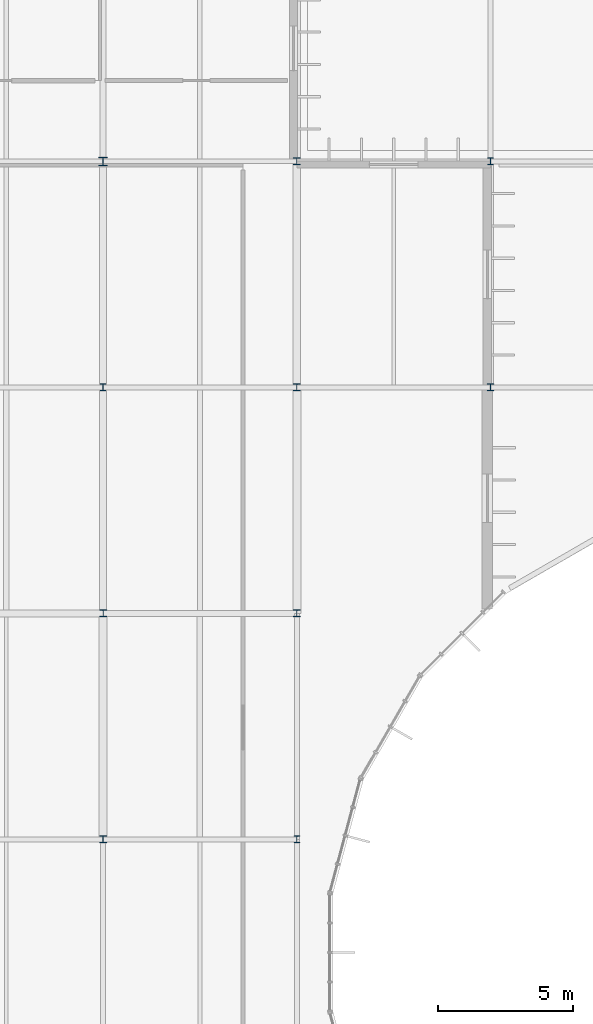
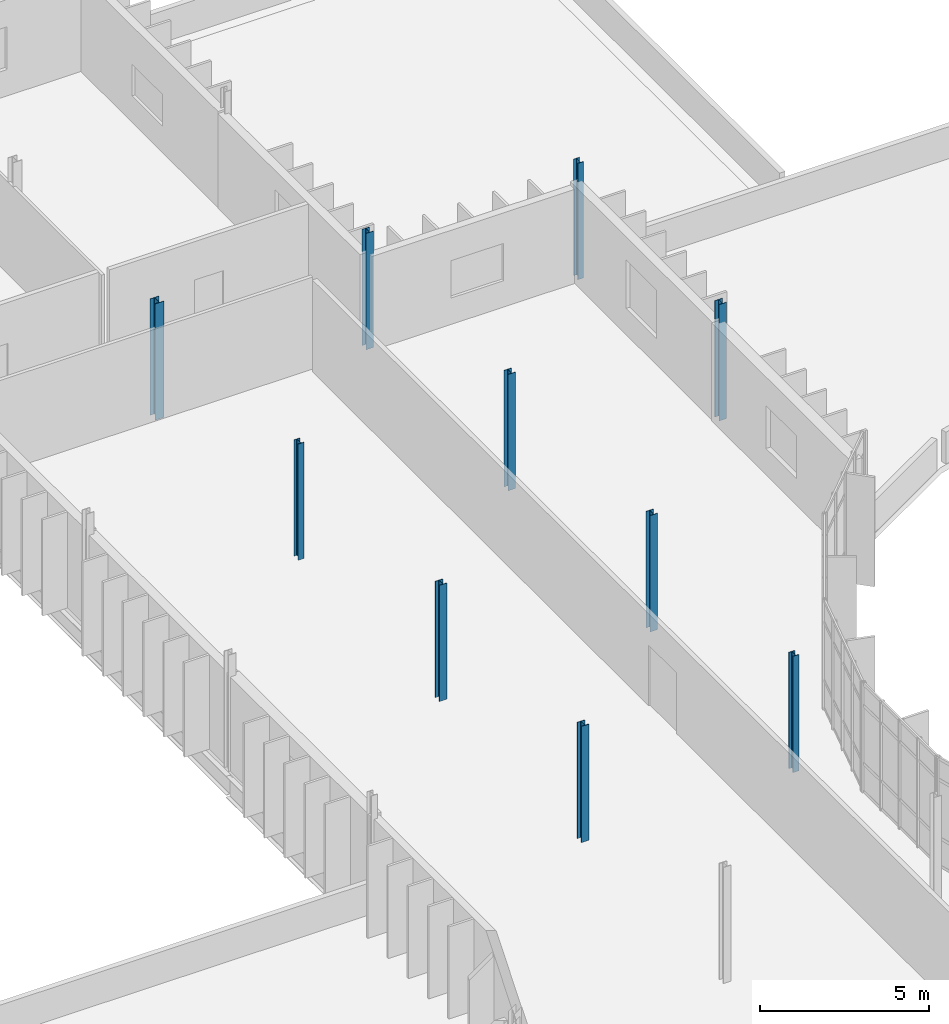
# One storey, part 12 of 61: 10 columns.
"""IFC4 building model written with IfcOpenShell, lengths in metres."""

from ifc_helpers import new_model, si_unit, direction, frame, origin, origin_2d, place, context, subcontext, project, spatial, i_section, extrude, material, material_profile, profile_set, type_object, element, save


model = new_model("IFC4")

# Units and contexts
model_context = context("Model", 3, precision=1e-05, world=origin(), true_north=direction((0.0, 1.0)))
body_context = subcontext(model_context, "Body", "Model", "MODEL_VIEW")
ifc_project = project(units=[si_unit("LENGTHUNIT", "METRE"), si_unit("AREAUNIT", "SQUARE_METRE"), si_unit("VOLUMEUNIT", "CUBIC_METRE"), si_unit("PLANEANGLEUNIT", "RADIAN"), si_unit("MASSUNIT", "GRAM", prefix="KILO")], contexts=[model_context])

# Site, building, storey
site_placement = place(None, origin())
site = spatial("IfcSite", under=ifc_project, at=site_placement, CompositionType="ELEMENT")
building_placement = place(site_placement, origin())
building = spatial("IfcBuilding", under=site, at=building_placement, Name="Qelthora Terrace Specialist Clinic", CompositionType="ELEMENT")
storey_placement = place(building_placement, frame((0.0, 0.0, 13.199951171875)))
storey = spatial("IfcBuildingStorey", under=building, at=storey_placement, Name="L03", CompositionType="ELEMENT", Elevation=13.199951171875)

# Columns
ifc_material = material(Name="Steel S355", Category="steel")
ifc_material_profile_1 = material_profile(ifc_material, i_section(OverallWidth=0.2041015625, OverallDepth=0.257080078125, WebThickness=0.0087890625, FlangeThickness=0.015625, FilletRadius=0.012939453125, at=origin_2d()), Name="W250X67")
ifc_profile_set_1 = profile_set([ifc_material_profile_1], Name="Steel S355")
column_type_1 = type_object("IfcColumnType", Name="COL-W250X67", PredefinedType="COLUMN", material=ifc_profile_set_1)
for number, where, z_axis, x_axis, name in (
    (1, (100.800048828125, 84.0, 0.0), (0.0, 0.0, 1.0), (1.0, 0.0, 0.0), "Column L03-171"),
    (2, (108.0, 67.199951171875, 0.0), (0.0, 0.0, 1.0), (1.0, 0.0, 0.0), "Column L03-183"),
    (3, (115.199951171875, 92.39990234375, 0.0), (0.0, 0.0, 1.0), (1.0, 0.0, 0.0), "Column L03-195"),
):
    element("IfcColumn", number, at=place(storey_placement, frame(where, z_axis=z_axis, x_axis=x_axis)), inside=storey, type_object=column_type_1, Name=name, PredefinedType="COLUMN", context=body_context, shape_type="SweptSolid", body=[
        extrude(i_section(OverallWidth=0.2041015625, OverallDepth=0.257080078125, WebThickness=0.0087890625, FlangeThickness=0.015625, FilletRadius=0.012939453125, at=origin_2d()), origin(), (0.0, 0.0, 1.0), 4.199951171875),
    ])
ifc_material_profile_2 = material_profile(ifc_material, i_section(OverallWidth=0.25390625, OverallDepth=0.2529296875, WebThickness=0.008544921875, FlangeThickness=0.01416015625, FilletRadius=0.012939453125, at=origin_2d()), Name="W250X73")
ifc_profile_set_2 = profile_set([ifc_material_profile_2], Name="Steel S355")
column_type_2 = type_object("IfcColumnType", Name="COL-W250X73", PredefinedType="COLUMN", material=ifc_profile_set_2)
for number, where, z_axis, x_axis, name in (
    (4, (100.800048828125, 75.60009765625, 0.0), (0.0, 0.0, 1.0), (1.0, 0.0, 0.0), "Column L03-170"),
    (5, (108.0, 92.39990234375, 0.0), (0.0, 0.0, 1.0), (1.0, 0.0, 0.0), "Column L03-186"),
    (6, (115.199951171875, 84.0, 0.0), (0.0, 0.0, 1.0), (1.0, 0.0, 0.0), "Column L03-194"),
):
    element("IfcColumn", number, at=place(storey_placement, frame(where, z_axis=z_axis, x_axis=x_axis)), inside=storey, type_object=column_type_2, Name=name, PredefinedType="COLUMN", context=body_context, shape_type="SweptSolid", body=[
        extrude(i_section(OverallWidth=0.25390625, OverallDepth=0.2529296875, WebThickness=0.008544921875, FlangeThickness=0.01416015625, FilletRadius=0.012939453125, at=origin_2d()), origin(), (0.0, 0.0, 1.0), 4.199951171875),
    ])
ifc_material_profile_3 = material_profile(ifc_material, i_section(OverallWidth=0.2548828125, OverallDepth=0.256103515625, WebThickness=0.009521484375, FlangeThickness=0.015625, FilletRadius=0.012939453125, at=origin_2d()), Name="W250X80")
ifc_profile_set_3 = profile_set([ifc_material_profile_3], Name="Steel S355")
column_type_3 = type_object("IfcColumnType", Name="COL-W250X80", PredefinedType="COLUMN", material=ifc_profile_set_3)
for number, where, z_axis, x_axis, name in (
    (7, (100.800048828125, 67.199951171875, 0.0), (0.0, 0.0, 1.0), (1.0, 0.0, 0.0), "Column L03-169"),
    (8, (108.0, 84.0, 0.0), (0.0, 0.0, 1.0), (1.0, 0.0, 0.0), "Column L03-185"),
):
    element("IfcColumn", number, at=place(storey_placement, frame(where, z_axis=z_axis, x_axis=x_axis)), inside=storey, type_object=column_type_3, Name=name, PredefinedType="COLUMN", context=body_context, shape_type="SweptSolid", body=[
        extrude(i_section(OverallWidth=0.2548828125, OverallDepth=0.256103515625, WebThickness=0.009521484375, FlangeThickness=0.015625, FilletRadius=0.012939453125, at=origin_2d()), origin(), (0.0, 0.0, 1.0), 4.199951171875),
    ])
ifc_material_profile_4 = material_profile(ifc_material, i_section(OverallWidth=0.256103515625, OverallDepth=0.260009765625, WebThickness=0.0107421875, FlangeThickness=0.017333984375, FilletRadius=0.012939453125, at=origin_2d()), Name="W250X89")
ifc_profile_set_4 = profile_set([ifc_material_profile_4], Name="Steel S355")
column_type_4 = type_object("IfcColumnType", Name="COL-W250X89", PredefinedType="COLUMN", material=ifc_profile_set_4)
column_1_placement = place(storey_placement, frame((108.0, 75.60009765625, 0.0), z_axis=(0.0, 0.0, 1.0), x_axis=(1.0, 0.0, 0.0)))
element("IfcColumn", 9, at=column_1_placement, inside=storey, type_object=column_type_4, Name="Column L03-184", PredefinedType="COLUMN", context=body_context, shape_type="SweptSolid", body=[
    extrude(i_section(OverallWidth=0.256103515625, OverallDepth=0.260009765625, WebThickness=0.0107421875, FlangeThickness=0.017333984375, FilletRadius=0.012939453125, at=origin_2d()), origin(), (0.0, 0.0, 1.0), 4.199951171875),
])
ifc_material_profile_5 = material_profile(ifc_material, i_section(OverallWidth=0.305908203125, OverallDepth=0.31103515625, WebThickness=0.010986328125, FlangeThickness=0.01708984375, FilletRadius=0.014892578125, at=origin_2d()), Name="W310X107")
ifc_profile_set_5 = profile_set([ifc_material_profile_5], Name="Steel S355")
column_type_5 = type_object("IfcColumnType", Name="COL-W310X107", PredefinedType="COLUMN", material=ifc_profile_set_5)
column_2_placement = place(storey_placement, frame((100.800048828125, 92.39990234375, 0.0), z_axis=(0.0, 0.0, 1.0), x_axis=(1.0, 0.0, 0.0)))
element("IfcColumn", 10, at=column_2_placement, inside=storey, type_object=column_type_5, Name="Column L03-172", PredefinedType="COLUMN", context=body_context, shape_type="SweptSolid", body=[
    extrude(i_section(OverallWidth=0.305908203125, OverallDepth=0.31103515625, WebThickness=0.010986328125, FlangeThickness=0.01708984375, FilletRadius=0.014892578125, at=origin_2d()), origin(), (0.0, 0.0, 1.0), 4.199951171875),
])

save(model, "model.ifc")
